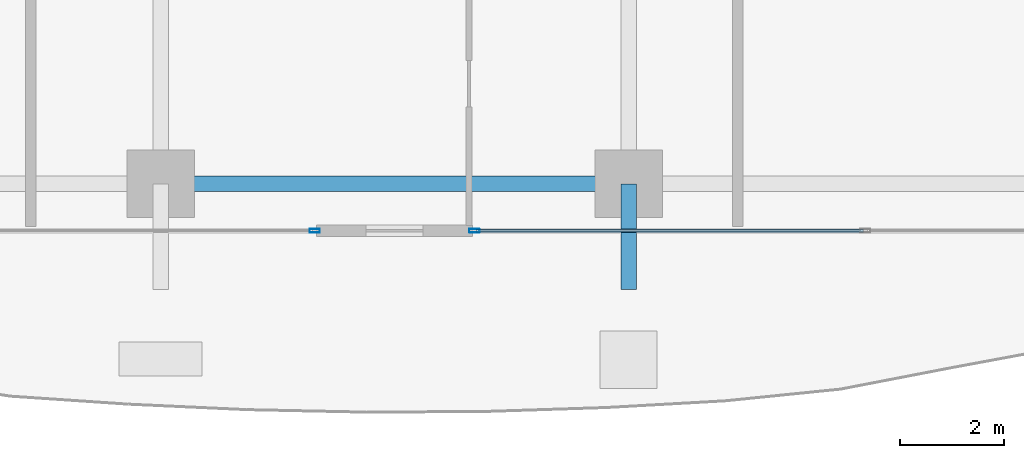
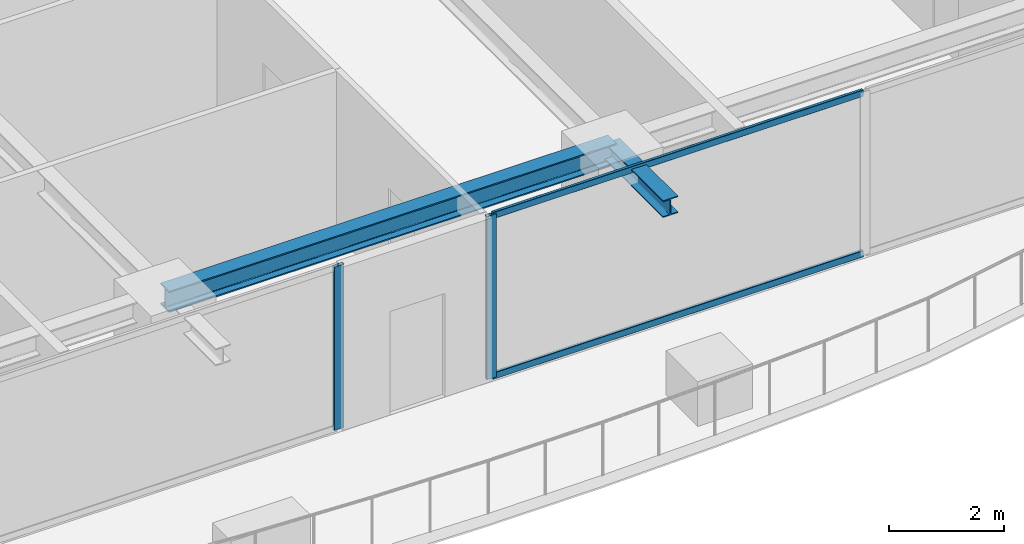
# One storey, part 5 of 36: 4 members, 2 beams, 2 elements without a shape of their own.
"""IFC4 building model written with IfcOpenShell, lengths in metres."""

from ifc_helpers import new_model, si_unit, direction, frame, origin, origin_2d, place, context, subcontext, project, spatial, hollow_rectangle, i_section, extrude, source, transform, mapped, material, layer, layer_set, material_profile, profile_set, type_object, element, aggregate, save


model = new_model("IFC4")

# Units and contexts
model_context = context("Model", 3, precision=1e-05, world=origin(), true_north=direction((0.0, 1.0)))
body_context = subcontext(model_context, "Body", "Model", "MODEL_VIEW")
ifc_project = project(units=[si_unit("LENGTHUNIT", "METRE"), si_unit("AREAUNIT", "SQUARE_METRE"), si_unit("VOLUMEUNIT", "CUBIC_METRE"), si_unit("PLANEANGLEUNIT", "RADIAN"), si_unit("MASSUNIT", "GRAM", prefix="KILO")], contexts=[model_context])

# Site, building, storey
site_placement = place(None, origin())
site = spatial("IfcSite", under=ifc_project, at=site_placement, CompositionType="ELEMENT")
building_placement = place(site_placement, origin())
building = spatial("IfcBuilding", under=site, at=building_placement, Name="Serunith Strait Residences", CompositionType="ELEMENT")
storey_placement = place(building_placement, frame((0.0, 0.0, 131.39990234375)))
storey = spatial("IfcBuildingStorey", under=building, at=storey_placement, Name="L32", CompositionType="ELEMENT", Elevation=131.39990234375)

# Beams
ifc_material_1 = material(Name="Steel S355J2", Category="steel")
ifc_material_profile_1 = material_profile(ifc_material_1, i_section(OverallWidth=0.300048828125, OverallDepth=0.449951171875, WebThickness=0.013916015625, FlangeThickness=0.02587890625, FilletRadius=0.027099609375, at=origin_2d()), Name="HEB 450")
ifc_profile_set_1 = profile_set([ifc_material_profile_1], Name="Steel S355J2")
beam_type_1 = type_object("IfcBeamType", Name="BM-HEB450", PredefinedType="BEAM", material=ifc_profile_set_1)
shared_shape_1 = source(origin(), body_context, "Body", "SweptSolid", [
    extrude(i_section(OverallWidth=0.300048828125, OverallDepth=0.449951171875, WebThickness=0.013916015625, FlangeThickness=0.02587890625, FilletRadius=0.027099609375, at=origin_2d()), origin(), (0.0, 0.0, 1.0), 9.0),
])
beam_1_placement = place(storey_placement, frame((27.89990234375, 2.300048828125, 3.26220703125), z_axis=(1.0, 0.0, 0.0), x_axis=(0.0, 1.0, 0.0)))
element("IfcBeam", 1, at=beam_1_placement, inside=storey, type_object=beam_type_1, Name="L32 Perimeter Ring Beam 02", PredefinedType="BEAM", context=body_context, shape_type="MappedRepresentation", body=[
    mapped(shared_shape_1, transform((0.0, 0.0, 0.0), scale=1.0)),
])
ifc_material_profile_2 = material_profile(ifc_material_1, i_section(OverallWidth=0.300048828125, OverallDepth=0.360107421875, WebThickness=0.012451171875, FlangeThickness=0.0224609375, FilletRadius=0.027099609375, at=origin_2d()), Name="HEB 360")
ifc_profile_set_2 = profile_set([ifc_material_profile_2], Name="Steel S355J2")
beam_type_2 = type_object("IfcBeamType", Name="BM-HEB360", PredefinedType="BEAM", material=ifc_profile_set_2)
shared_shape_2 = source(origin(), body_context, "Body", "SweptSolid", [
    extrude(i_section(OverallWidth=0.300048828125, OverallDepth=0.360107421875, WebThickness=0.012451171875, FlangeThickness=0.0224609375, FilletRadius=0.027099609375, at=origin_2d()), origin(), (0.0, 0.0, 1.0), 2.030029296875),
])
beam_2_placement = place(storey_placement, frame((36.89990234375, 2.300048828125, 3.277099609375), z_axis=(0.0, -1.0, 0.0), x_axis=(1.0, 0.0, 0.0)))
element("IfcBeam", 2, at=beam_2_placement, inside=storey, type_object=beam_type_2, Name="L33 Cantilevered Balcony Rib TC-S3", PredefinedType="BEAM", context=body_context, shape_type="MappedRepresentation", body=[
    mapped(shared_shape_2, transform((0.0, 0.0, 0.0), scale=1.0)),
])

# Curtain wall, member
ifc_material_2 = material(Name="Pale-Champagne Anodised Aluminium", Category="aluminium")
ifc_layer = layer(ifc_material_2, 0.199951171875, Name="Pale-Champagne Anodised Aluminium")
ifc_layer_set = layer_set([ifc_layer], Name="Pale-Champagne Anodised Aluminium")
curtain_wall_type = type_object("IfcCurtainWallType", Name="CW-SYS2", PredefinedType="NOTDEFINED", material=ifc_layer_set)
curtain_wall_1_placement = place(storey_placement, origin())
curtain_wall_1 = element("IfcCurtainWall", 3, at=curtain_wall_1_placement, inside=storey, type_object=curtain_wall_type, Name="L32 S Unitised Fritted Curtain Wall", PredefinedType="NOTDEFINED")
ifc_material_profile_3 = material_profile(ifc_material_2, hollow_rectangle(XDim=0.070068359375, YDim=0.199951171875, WallThickness=0.00390625, InnerFilletRadius=0.006103515625, OuterFilletRadius=0.010009765625, at=origin_2d()), Name="ALU 200x70x4")
ifc_profile_set_3 = profile_set([ifc_material_profile_3], Name="Pale-Champagne Anodised Aluminium")
member_type_1 = type_object("IfcMemberType", Name="CW-SYS2-MULL", PredefinedType="MULLION", material=ifc_profile_set_3)
shared_shape_3 = source(origin(), body_context, "Body", "SweptSolid", [
    extrude(hollow_rectangle(XDim=0.070068359375, YDim=0.199951171875, WallThickness=0.00390625, InnerFilletRadius=0.006103515625, OuterFilletRadius=0.010009765625, at=origin_2d()), origin(), (0.0, 0.0, 1.0), 3.47509765625),
])
member_1_placement = place(storey_placement, frame((30.864990234375, 1.39990234375, 0.0), z_axis=(0.0, 0.0, 1.0), x_axis=(0.0, 1.0, 0.0)))
member_1 = element("IfcMember", 4, at=member_1_placement, type_object=member_type_1, Name="CW-2 mullion 3", PredefinedType="MULLION", context=body_context, shape_type="MappedRepresentation", body=[
    mapped(shared_shape_3, transform((0.0, 0.0, 0.0), scale=1.0)),
])
aggregate(curtain_wall_1, [member_1])

# Curtain wall, members
curtain_wall_2_placement = place(storey_placement, origin())
curtain_wall_2 = element("IfcCurtainWall", 5, at=curtain_wall_2_placement, inside=storey, type_object=curtain_wall_type, Name="L32 S Unitised Fritted Curtain Wall", PredefinedType="NOTDEFINED")
member_2_placement = place(storey_placement, frame((33.93505859375, 1.39990234375, 0.0), z_axis=(0.0, 0.0, 1.0), x_axis=(0.0, 1.0, 0.0)))
member_2 = element("IfcMember", 6, at=member_2_placement, type_object=member_type_1, Name="CW-2 mullion 1", PredefinedType="MULLION", context=body_context, shape_type="MappedRepresentation", body=[
    mapped(shared_shape_3, transform((0.0, 0.0, 0.0), scale=1.0)),
])
ifc_material_profile_4 = material_profile(ifc_material_2, hollow_rectangle(XDim=0.06005859375, YDim=0.139892578125, WallThickness=0.00341796875, InnerFilletRadius=0.00537109375, OuterFilletRadius=0.0087890625, at=origin_2d()), Name="ALU 140x60x3.5")
ifc_profile_set_4 = profile_set([ifc_material_profile_4], Name="Pale-Champagne Anodised Aluminium")
member_type_2 = type_object("IfcMemberType", Name="CW-SYS2-TRAN", PredefinedType="USERDEFINED", material=ifc_profile_set_4)
shared_shape_4 = source(origin(), body_context, "Body", "SweptSolid", [
    extrude(hollow_rectangle(XDim=0.06005859375, YDim=0.139892578125, WallThickness=0.00341796875, InnerFilletRadius=0.00537109375, OuterFilletRadius=0.0087890625, at=origin_2d()), origin(), (0.0, 0.0, 1.0), 7.445068359375),
])
member_3_placement = place(storey_placement, frame((33.969970703125, 1.39990234375, 0.030029296875), z_axis=(1.0, 0.0, 0.0), x_axis=(0.0, 1.0, 0.0)))
member_3 = element("IfcMember", 7, at=member_3_placement, type_object=member_type_2, Name="CW-2 transom 1.1", ObjectType="TRANSOM", PredefinedType="USERDEFINED", context=body_context, shape_type="MappedRepresentation", body=[
    mapped(shared_shape_4, transform((0.0, 0.0, 0.0), scale=1.0)),
])
member_4_placement = place(storey_placement, frame((33.969970703125, 1.39990234375, 3.445068359375), z_axis=(1.0, 0.0, 0.0), x_axis=(0.0, 1.0, 0.0)))
member_4 = element("IfcMember", 8, at=member_4_placement, type_object=member_type_2, Name="CW-2 transom 1.2", ObjectType="TRANSOM", PredefinedType="USERDEFINED", context=body_context, shape_type="MappedRepresentation", body=[
    mapped(shared_shape_4, transform((0.0, 0.0, 0.0), scale=1.0)),
])
aggregate(curtain_wall_2, [member_2, member_3, member_4])

save(model, "model.ifc")
